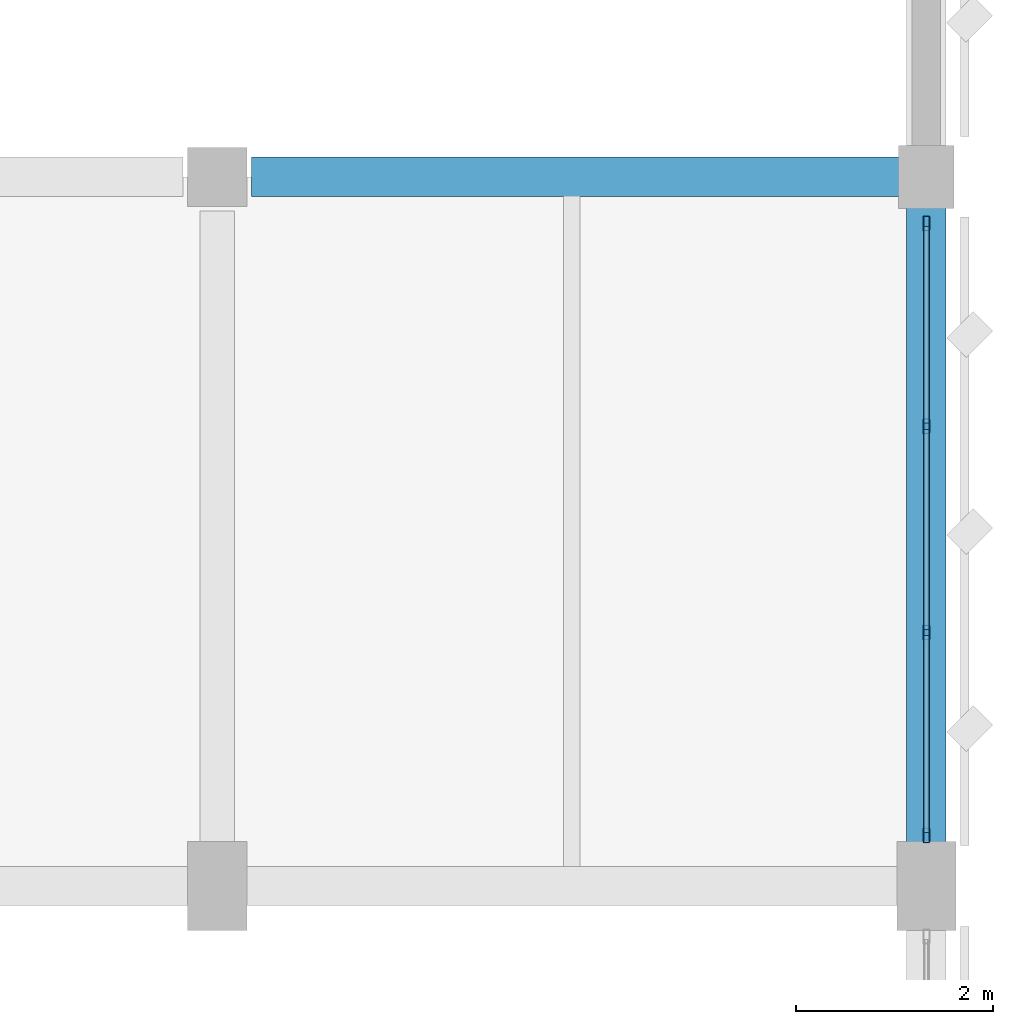
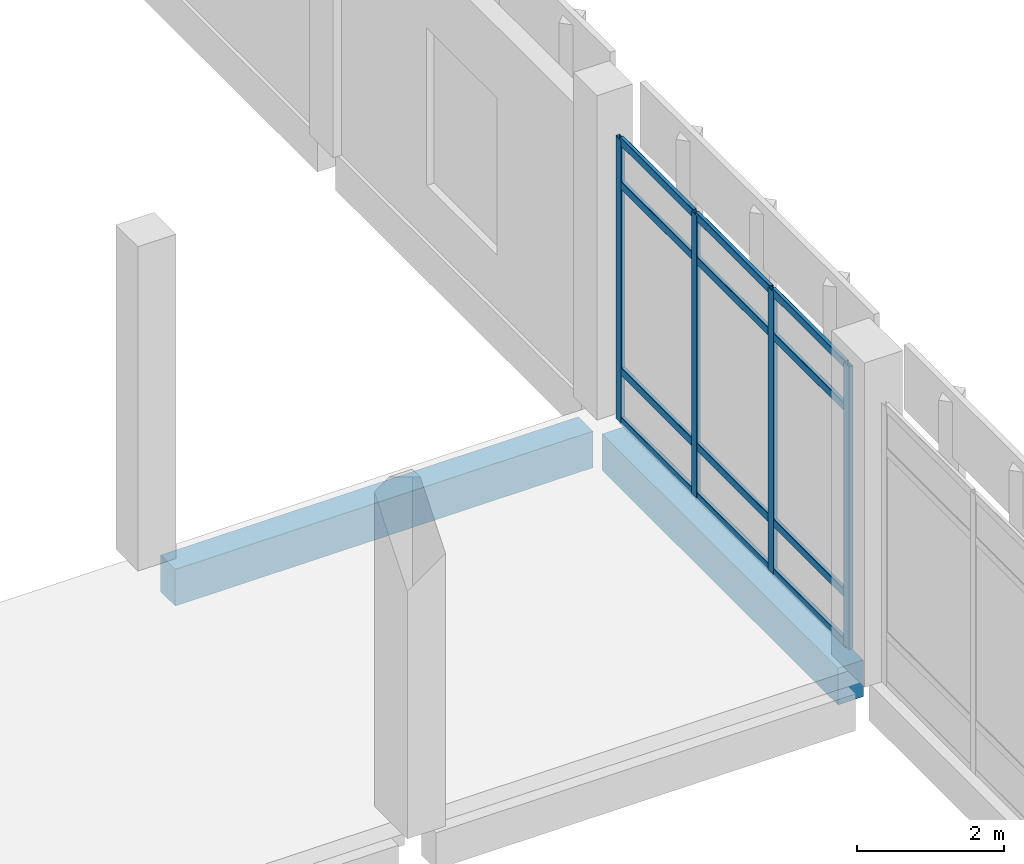
# One storey, part 112 of 180: 16 members, 2 beams, 1 element without a shape of its own.
"""IFC4 building model written with IfcOpenShell, lengths in metres."""

from ifc_helpers import new_model, si_unit, direction, frame, origin, origin_2d, place, context, subcontext, project, spatial, rectangle, hollow_rectangle, extrude, material, material_profile, profile_set, type_object, element, aggregate, save


model = new_model("IFC4")

# Units and contexts
model_context = context("Model", 3, precision=1e-05, world=origin(), true_north=direction((0.0, 1.0)))
body_context = subcontext(model_context, "Body", "Model", "MODEL_VIEW")
ifc_project = project(units=[si_unit("LENGTHUNIT", "METRE"), si_unit("AREAUNIT", "SQUARE_METRE"), si_unit("VOLUMEUNIT", "CUBIC_METRE"), si_unit("PLANEANGLEUNIT", "RADIAN"), si_unit("MASSUNIT", "GRAM", prefix="KILO")], contexts=[model_context])

# Site, building, storey
site_placement = place(None, origin())
site = spatial("IfcSite", under=ifc_project, at=site_placement, CompositionType="ELEMENT")
building_placement = place(site_placement, origin())
building = spatial("IfcBuilding", under=site, at=building_placement, Name="Lusvemor Sports Hall", CompositionType="ELEMENT")
storey_placement = place(building_placement, frame((0.0, 0.0, 5.39990234375)))
storey = spatial("IfcBuildingStorey", under=building, at=storey_placement, Name="L01", CompositionType="ELEMENT", Elevation=5.39990234375)

# Curtain wall, members
ifc_material_1 = material(Name="Thermally broken bronze-anodized aluminium", Category="aluminium")
curtain_wall_type = type_object("IfcCurtainWallType", Name="CW_PASSAGE_E", PredefinedType="NOTDEFINED", material=ifc_material_1)
curtain_wall_placement = place(storey_placement, origin())
curtain_wall = element("IfcCurtainWall", 1, at=curtain_wall_placement, inside=storey, type_object=curtain_wall_type, Name="Curtain Wall CW-ELINK-169-L01", PredefinedType="NOTDEFINED")
ifc_material_2 = material(Name="Thermally broken bronze-anodized aluminium", Category="aluminium")
ifc_material_profile_1 = material_profile(ifc_material_2, hollow_rectangle(XDim=0.06494140625, YDim=0.14990234375, WallThickness=0.00390625, InnerFilletRadius=0.00390625, OuterFilletRadius=0.008056640625, at=origin_2d()), Name="CWMUL150x65x4")
ifc_profile_set_1 = profile_set([ifc_material_profile_1], Name="Thermally broken bronze-anodized aluminium")
member_type_1 = type_object("IfcMemberType", Name="CW_MUL_B", PredefinedType="MULLION", material=ifc_profile_set_1)
member_1_placement = place(storey_placement, frame((169.199951171875, 40.112548828125, 0.0), z_axis=(0.0, 0.0, 1.0), x_axis=(-1.0, 0.0, 0.0)))
member_1 = element("IfcMember", 2, at=member_1_placement, type_object=member_type_1, Name="CW05 mullion 1", PredefinedType="MULLION", context=body_context, shape_type="SweptSolid", body=[
    extrude(hollow_rectangle(XDim=0.06494140625, YDim=0.14990234375, WallThickness=0.00390625, InnerFilletRadius=0.00390625, OuterFilletRadius=0.008056640625, at=origin_2d()), origin(), (0.0, 0.0, 1.0), 4.7001953125),
])
member_2_placement = place(storey_placement, frame((169.199951171875, 42.17333984375, 0.0), z_axis=(0.0, 0.0, 1.0), x_axis=(-1.0, 0.0, 0.0)))
member_2 = element("IfcMember", 3, at=member_2_placement, type_object=member_type_1, Name="CW05 mullion 2", PredefinedType="MULLION", context=body_context, shape_type="SweptSolid", body=[
    extrude(hollow_rectangle(XDim=0.06494140625, YDim=0.14990234375, WallThickness=0.00390625, InnerFilletRadius=0.00390625, OuterFilletRadius=0.008056640625, at=origin_2d()), origin(), (0.0, 0.0, 1.0), 4.7001953125),
])
member_3_placement = place(storey_placement, frame((169.199951171875, 44.2666015625, 0.0), z_axis=(0.0, 0.0, 1.0), x_axis=(-1.0, 0.0, 0.0)))
member_3 = element("IfcMember", 4, at=member_3_placement, type_object=member_type_1, Name="CW05 mullion 3", PredefinedType="MULLION", context=body_context, shape_type="SweptSolid", body=[
    extrude(hollow_rectangle(XDim=0.06494140625, YDim=0.14990234375, WallThickness=0.00390625, InnerFilletRadius=0.00390625, OuterFilletRadius=0.008056640625, at=origin_2d()), origin(), (0.0, 0.0, 1.0), 4.7001953125),
])
member_4_placement = place(storey_placement, frame((169.199951171875, 46.327392578125, 0.0), z_axis=(0.0, 0.0, 1.0), x_axis=(-1.0, 0.0, 0.0)))
member_4 = element("IfcMember", 5, at=member_4_placement, type_object=member_type_1, Name="CW05 mullion 4", PredefinedType="MULLION", context=body_context, shape_type="SweptSolid", body=[
    extrude(hollow_rectangle(XDim=0.06494140625, YDim=0.14990234375, WallThickness=0.00390625, InnerFilletRadius=0.00390625, OuterFilletRadius=0.008056640625, at=origin_2d()), origin(), (0.0, 0.0, 1.0), 4.7001953125),
])
ifc_material_3 = material(Name="Thermally broken bronze-anodized aluminium", Category="aluminium")
ifc_material_profile_2 = material_profile(ifc_material_3, hollow_rectangle(XDim=0.06005859375, YDim=0.135009765625, WallThickness=0.00390625, InnerFilletRadius=0.00390625, OuterFilletRadius=0.008056640625, at=origin_2d()), Name="CWTRN135x60x4")
ifc_profile_set_2 = profile_set([ifc_material_profile_2], Name="Thermally broken bronze-anodized aluminium")
member_type_2 = type_object("IfcMemberType", Name="CW_TRN_B", PredefinedType="USERDEFINED", material=ifc_profile_set_2)
member_5_placement = place(storey_placement, frame((169.199951171875, 40.14501953125, 0.030029296875), z_axis=(0.0, 1.0, 0.0), x_axis=(-1.0, 0.0, 0.0)))
member_5 = element("IfcMember", 6, at=member_5_placement, type_object=member_type_2, Name="CW05 transom 1.1", ObjectType="TRANSOM", PredefinedType="USERDEFINED", context=body_context, shape_type="SweptSolid", body=[
    extrude(hollow_rectangle(XDim=0.06005859375, YDim=0.135009765625, WallThickness=0.00390625, InnerFilletRadius=0.00390625, OuterFilletRadius=0.008056640625, at=origin_2d()), origin(), (0.0, 0.0, 1.0), 1.995849609375),
])
member_6_placement = place(storey_placement, frame((169.199951171875, 40.14501953125, 0.85009765625), z_axis=(0.0, 1.0, 0.0), x_axis=(-1.0, 0.0, 0.0)))
member_6 = element("IfcMember", 7, at=member_6_placement, type_object=member_type_2, Name="CW05 transom 1.2", ObjectType="TRANSOM", PredefinedType="USERDEFINED", context=body_context, shape_type="SweptSolid", body=[
    extrude(hollow_rectangle(XDim=0.06005859375, YDim=0.135009765625, WallThickness=0.00390625, InnerFilletRadius=0.00390625, OuterFilletRadius=0.008056640625, at=origin_2d()), origin(), (0.0, 0.0, 1.0), 1.995849609375),
])
member_7_placement = place(storey_placement, frame((169.199951171875, 40.14501953125, 3.9501953125), z_axis=(0.0, 1.0, 0.0), x_axis=(-1.0, 0.0, 0.0)))
member_7 = element("IfcMember", 8, at=member_7_placement, type_object=member_type_2, Name="CW05 transom 1.3", ObjectType="TRANSOM", PredefinedType="USERDEFINED", context=body_context, shape_type="SweptSolid", body=[
    extrude(hollow_rectangle(XDim=0.06005859375, YDim=0.135009765625, WallThickness=0.00390625, InnerFilletRadius=0.00390625, OuterFilletRadius=0.008056640625, at=origin_2d()), origin(), (0.0, 0.0, 1.0), 1.995849609375),
])
member_8_placement = place(storey_placement, frame((169.199951171875, 40.14501953125, 4.670166015625), z_axis=(0.0, 1.0, 0.0), x_axis=(-1.0, 0.0, 0.0)))
member_8 = element("IfcMember", 9, at=member_8_placement, type_object=member_type_2, Name="CW05 transom 1.4", ObjectType="TRANSOM", PredefinedType="USERDEFINED", context=body_context, shape_type="SweptSolid", body=[
    extrude(hollow_rectangle(XDim=0.06005859375, YDim=0.135009765625, WallThickness=0.00390625, InnerFilletRadius=0.00390625, OuterFilletRadius=0.008056640625, at=origin_2d()), origin(), (0.0, 0.0, 1.0), 1.995849609375),
])
member_9_placement = place(storey_placement, frame((169.199951171875, 42.205810546875, 0.030029296875), z_axis=(0.0, 1.0, 0.0), x_axis=(-1.0, 0.0, 0.0)))
member_9 = element("IfcMember", 10, at=member_9_placement, type_object=member_type_2, Name="CW05 transom 2.1", ObjectType="TRANSOM", PredefinedType="USERDEFINED", context=body_context, shape_type="SweptSolid", body=[
    extrude(hollow_rectangle(XDim=0.06005859375, YDim=0.135009765625, WallThickness=0.00390625, InnerFilletRadius=0.00390625, OuterFilletRadius=0.008056640625, at=origin_2d()), origin(), (0.0, 0.0, 1.0), 2.0283203125),
])
member_10_placement = place(storey_placement, frame((169.199951171875, 42.205810546875, 0.85009765625), z_axis=(0.0, 1.0, 0.0), x_axis=(-1.0, 0.0, 0.0)))
member_10 = element("IfcMember", 11, at=member_10_placement, type_object=member_type_2, Name="CW05 transom 2.2", ObjectType="TRANSOM", PredefinedType="USERDEFINED", context=body_context, shape_type="SweptSolid", body=[
    extrude(hollow_rectangle(XDim=0.06005859375, YDim=0.135009765625, WallThickness=0.00390625, InnerFilletRadius=0.00390625, OuterFilletRadius=0.008056640625, at=origin_2d()), origin(), (0.0, 0.0, 1.0), 2.0283203125),
])
member_11_placement = place(storey_placement, frame((169.199951171875, 42.205810546875, 3.9501953125), z_axis=(0.0, 1.0, 0.0), x_axis=(-1.0, 0.0, 0.0)))
member_11 = element("IfcMember", 12, at=member_11_placement, type_object=member_type_2, Name="CW05 transom 2.3", ObjectType="TRANSOM", PredefinedType="USERDEFINED", context=body_context, shape_type="SweptSolid", body=[
    extrude(hollow_rectangle(XDim=0.06005859375, YDim=0.135009765625, WallThickness=0.00390625, InnerFilletRadius=0.00390625, OuterFilletRadius=0.008056640625, at=origin_2d()), origin(), (0.0, 0.0, 1.0), 2.0283203125),
])
member_12_placement = place(storey_placement, frame((169.199951171875, 42.205810546875, 4.670166015625), z_axis=(0.0, 1.0, 0.0), x_axis=(-1.0, 0.0, 0.0)))
member_12 = element("IfcMember", 13, at=member_12_placement, type_object=member_type_2, Name="CW05 transom 2.4", ObjectType="TRANSOM", PredefinedType="USERDEFINED", context=body_context, shape_type="SweptSolid", body=[
    extrude(hollow_rectangle(XDim=0.06005859375, YDim=0.135009765625, WallThickness=0.00390625, InnerFilletRadius=0.00390625, OuterFilletRadius=0.008056640625, at=origin_2d()), origin(), (0.0, 0.0, 1.0), 2.0283203125),
])
member_13_placement = place(storey_placement, frame((169.199951171875, 44.299072265625, 0.030029296875), z_axis=(0.0, 1.0, 0.0), x_axis=(-1.0, 0.0, 0.0)))
member_13 = element("IfcMember", 14, at=member_13_placement, type_object=member_type_2, Name="CW05 transom 3.1", ObjectType="TRANSOM", PredefinedType="USERDEFINED", context=body_context, shape_type="SweptSolid", body=[
    extrude(hollow_rectangle(XDim=0.06005859375, YDim=0.135009765625, WallThickness=0.00390625, InnerFilletRadius=0.00390625, OuterFilletRadius=0.008056640625, at=origin_2d()), origin(), (0.0, 0.0, 1.0), 1.995849609375),
])
member_14_placement = place(storey_placement, frame((169.199951171875, 44.299072265625, 0.85009765625), z_axis=(0.0, 1.0, 0.0), x_axis=(-1.0, 0.0, 0.0)))
member_14 = element("IfcMember", 15, at=member_14_placement, type_object=member_type_2, Name="CW05 transom 3.2", ObjectType="TRANSOM", PredefinedType="USERDEFINED", context=body_context, shape_type="SweptSolid", body=[
    extrude(hollow_rectangle(XDim=0.06005859375, YDim=0.135009765625, WallThickness=0.00390625, InnerFilletRadius=0.00390625, OuterFilletRadius=0.008056640625, at=origin_2d()), origin(), (0.0, 0.0, 1.0), 1.995849609375),
])
member_15_placement = place(storey_placement, frame((169.199951171875, 44.299072265625, 3.9501953125), z_axis=(0.0, 1.0, 0.0), x_axis=(-1.0, 0.0, 0.0)))
member_15 = element("IfcMember", 16, at=member_15_placement, type_object=member_type_2, Name="CW05 transom 3.3", ObjectType="TRANSOM", PredefinedType="USERDEFINED", context=body_context, shape_type="SweptSolid", body=[
    extrude(hollow_rectangle(XDim=0.06005859375, YDim=0.135009765625, WallThickness=0.00390625, InnerFilletRadius=0.00390625, OuterFilletRadius=0.008056640625, at=origin_2d()), origin(), (0.0, 0.0, 1.0), 1.995849609375),
])
member_16_placement = place(storey_placement, frame((169.199951171875, 44.299072265625, 4.670166015625), z_axis=(0.0, 1.0, 0.0), x_axis=(-1.0, 0.0, 0.0)))
member_16 = element("IfcMember", 17, at=member_16_placement, type_object=member_type_2, Name="CW05 transom 3.4", ObjectType="TRANSOM", PredefinedType="USERDEFINED", context=body_context, shape_type="SweptSolid", body=[
    extrude(hollow_rectangle(XDim=0.06005859375, YDim=0.135009765625, WallThickness=0.00390625, InnerFilletRadius=0.00390625, OuterFilletRadius=0.008056640625, at=origin_2d()), origin(), (0.0, 0.0, 1.0), 1.995849609375),
])
aggregate(curtain_wall, [member_1, member_2, member_3, member_4, member_5, member_6, member_7, member_8, member_9, member_10, member_11, member_12, member_13, member_14, member_15, member_16])

# Beams
ifc_material_4 = material(Name="Concrete C40/50", Category="concrete")
ifc_material_profile_3 = material_profile(ifc_material_4, rectangle(XDim=0.39990234375, YDim=0.610107421875, at=origin_2d()), Name="RC400x610")
ifc_profile_set_3 = profile_set([ifc_material_profile_3], Name="Concrete C40/50")
beam_type = type_object("IfcBeamType", Name="SPAND_EXT_650", PredefinedType="SPANDREL", material=ifc_profile_set_3)
beam_1_placement = place(storey_placement, frame((162.345947265625, 46.800048828125, -0.56494140625), z_axis=(1.0, 0.0, 0.0), x_axis=(0.0, 1.0, 0.0)))
element("IfcBeam", 18, at=beam_1_placement, inside=storey, type_object=beam_type, Name="Beam L01 F:19-20", PredefinedType="SPANDREL", context=body_context, shape_type="SweptSolid", body=[
    extrude(rectangle(XDim=0.39990234375, YDim=0.610107421875, at=origin_2d()), origin(), (0.0, 0.0, 1.0), 6.578125),
])
beam_2_placement = place(storey_placement, frame((169.199951171875, 40.0458984375, -0.56494140625), z_axis=(0.0, 1.0, 0.0), x_axis=(-1.0, 0.0, 0.0)))
element("IfcBeam", 19, at=beam_2_placement, inside=storey, type_object=beam_type, Name="Beam L01 20:E-F", PredefinedType="SPANDREL", context=body_context, shape_type="SweptSolid", body=[
    extrude(rectangle(XDim=0.39990234375, YDim=0.610107421875, at=origin_2d()), origin(), (0.0, 0.0, 1.0), 6.43798828125),
])

save(model, "model.ifc")
